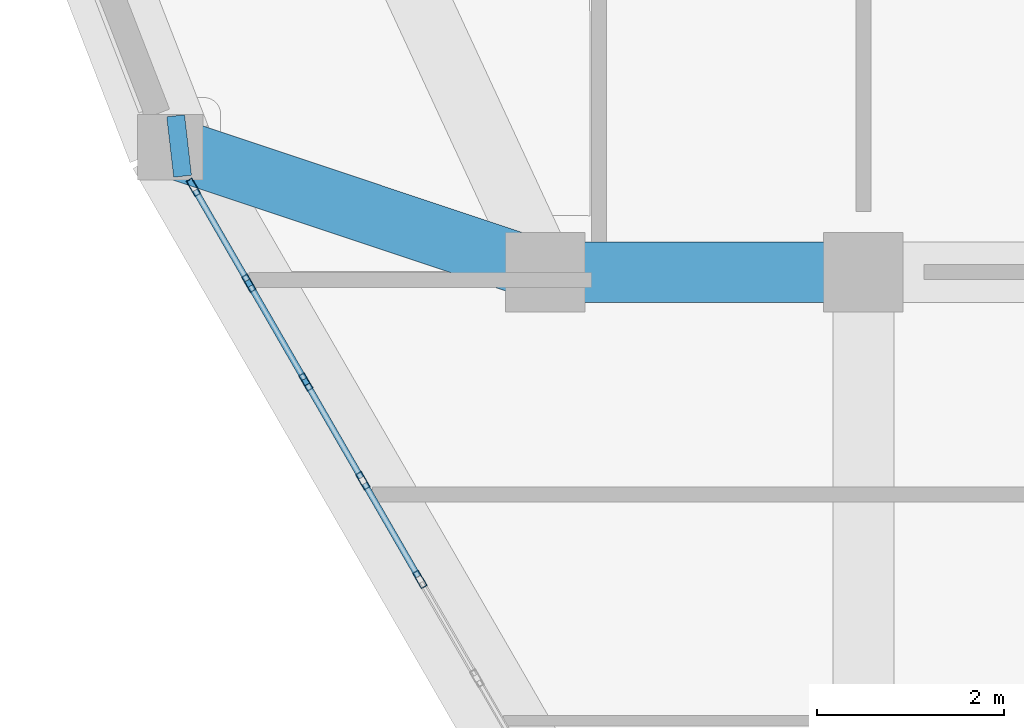
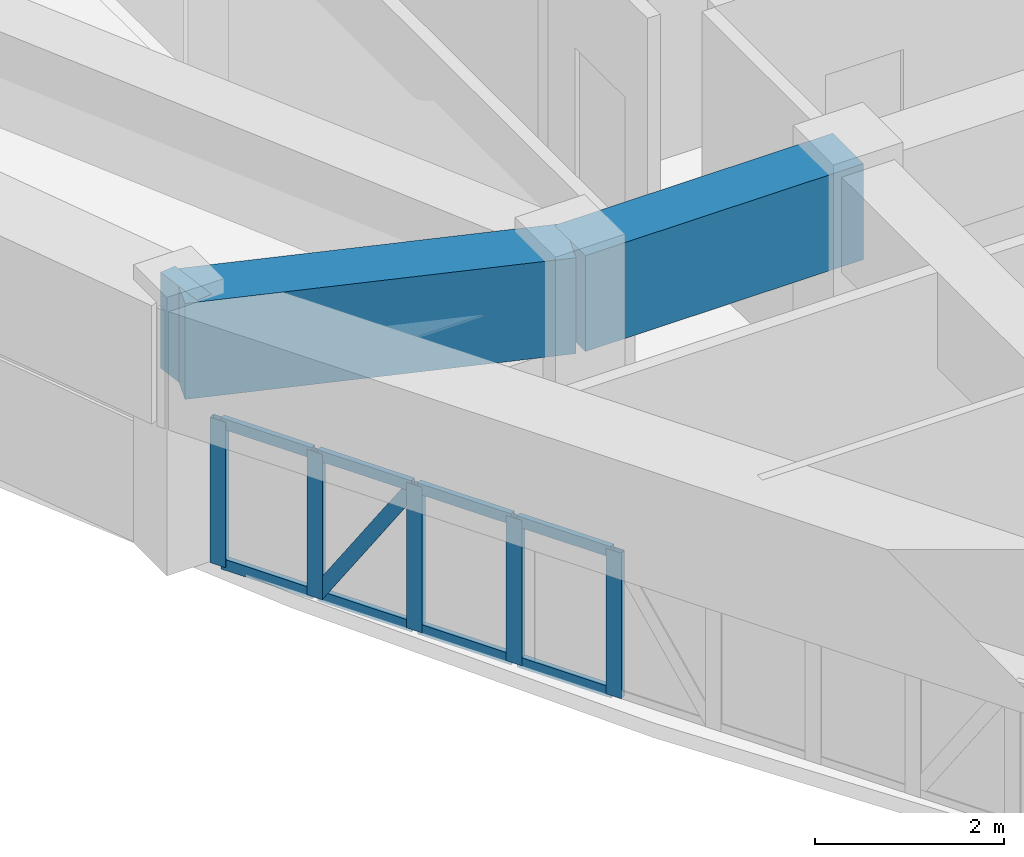
# One storey, part 5 of 16: 14 members, 3 beams, 1 element without a shape of its own.
"""IFC4 building model written with IfcOpenShell, lengths in metres."""

from ifc_helpers import new_model, si_unit, derived_unit, direction, frame, origin, origin_2d, place, context, subcontext, project, spatial, rectangle, hollow_rectangle, extrude, source, transform, mapped, material, layer, layer_set, material_profile, profile_set, type_object, element, aggregate, save


model = new_model("IFC4")

# Units and contexts
model_context = context("Model", 3, precision=1e-05, world=origin(), true_north=direction((0.0, 1.0)))
body_context = subcontext(model_context, "Body", "Model", "MODEL_VIEW")
ifc_project = project(units=[si_unit("LENGTHUNIT", "METRE"), si_unit("AREAUNIT", "SQUARE_METRE"), si_unit("VOLUMEUNIT", "CUBIC_METRE"), si_unit("PLANEANGLEUNIT", "RADIAN"), si_unit("MASSUNIT", "GRAM", prefix="KILO"), derived_unit("THERMALTRANSMITTANCEUNIT", [(si_unit("POWERUNIT", "WATT"), 1), (si_unit("LENGTHUNIT", "METRE"), -2), (si_unit("THERMODYNAMICTEMPERATUREUNIT", "KELVIN"), -1)])], contexts=[model_context])

# Site, building, storey
site_placement = place(None, origin())
site = spatial("IfcSite", under=ifc_project, at=site_placement, CompositionType="ELEMENT")
building_placement = place(site_placement, origin())
building = spatial("IfcBuilding", under=site, at=building_placement, Name="Korsvarv Bourse and Concert Hall", CompositionType="ELEMENT")
storey_placement = place(building_placement, frame((0.0, 0.0, 261.0)))
storey = spatial("IfcBuildingStorey", under=building, at=storey_placement, Name="L68", CompositionType="ELEMENT", Elevation=261.0)

# Beams
ifc_material_1 = material(Name="Concrete C50/60", Category="concrete")
ifc_material_profile_1 = material_profile(ifc_material_1, rectangle(XDim=0.64990234375, YDim=1.239990234375, at=origin_2d()), Name="RC-BM 650x1240")
ifc_profile_set_1 = profile_set([ifc_material_profile_1], Name="Concrete C50/60")
beam_type = type_object("IfcBeamType", Name="BM-TR-SPN", PredefinedType="BEAM", material=ifc_profile_set_1)
shared_shape_1 = source(origin(), body_context, "Body", "SweptSolid", [
    extrude(rectangle(XDim=0.64990234375, YDim=1.239990234375, at=origin_2d()), origin(), (0.0, 0.0, 1.0), 3.400146484375),
])
beam_1_placement = place(storey_placement, frame((24.199951171875, 32.39990234375, 2.7900390625), z_axis=(1.0, 0.0, 0.0), x_axis=(0.0, 1.0, 0.0)))
element("IfcBeam", 1, at=beam_1_placement, inside=storey, type_object=beam_type, Name="L68 beam B-TRS", PredefinedType="BEAM", context=body_context, shape_type="MappedRepresentation", body=[
    mapped(shared_shape_1, transform((0.0, 0.0, 0.0), scale=1.0)),
])
shared_shape_2 = source(origin(), body_context, "Body", "SweptSolid", [
    extrude(rectangle(XDim=0.64990234375, YDim=1.239990234375, at=origin_2d()), origin(), (0.0, 0.0, 1.0), 4.22705078125),
])
beam_2_placement = place(storey_placement, frame((20.190185546875, 33.73779296875, 2.7900390625), z_axis=(0.948590847329, -0.316504983157, 0.0), x_axis=(0.316504983157, 0.948590847329, 0.0)))
element("IfcBeam", 2, at=beam_2_placement, inside=storey, type_object=beam_type, Name="L68 beam B-TRS", PredefinedType="BEAM", context=body_context, shape_type="MappedRepresentation", body=[
    mapped(shared_shape_2, transform((0.0, 0.0, 0.0), scale=1.0)),
])
shared_shape_3 = source(origin(), body_context, "Body", "SweptSolid", [
    extrude(rectangle(XDim=0.64990234375, YDim=1.239990234375, at=origin_2d()), origin(), (0.0, 0.0, 1.0), 0.19189453125),
])
beam_3_placement = place(storey_placement, frame((20.190185546875, 33.73779296875, 2.7900390625), z_axis=(0.993425637614, 0.114479266819, 0.0), x_axis=(-0.114479266819, 0.993425637614, 0.0)))
element("IfcBeam", 3, at=beam_3_placement, inside=storey, type_object=beam_type, Name="L68 beam B-TRS", PredefinedType="BEAM", context=body_context, shape_type="MappedRepresentation", body=[
    mapped(shared_shape_3, transform((0.0, 0.0, 0.0), scale=1.0)),
])

# Curtain wall, members
ifc_material_2 = material(Name="Anodised aluminium and triple low-E glazing", Category="glass")
ifc_layer = layer(ifc_material_2, 0.199951171875)
ifc_layer_set = layer_set([ifc_layer], Name="Anodised aluminium and triple low-E glazing")
curtain_wall_type = type_object("IfcCurtainWallType", Name="CW-SYS-3", PredefinedType="NOTDEFINED", material=ifc_layer_set)
curtain_wall_placement = place(storey_placement, origin())
curtain_wall = element("IfcCurtainWall", 4, at=curtain_wall_placement, inside=storey, type_object=curtain_wall_type, Name="L68 CW3 curtain wall CW-L68-F07", PredefinedType="NOTDEFINED")
ifc_material_3 = material(Name="Extruded aluminium EN AW-6063 T66", Category="aluminium")
ifc_material_profile_2 = material_profile(ifc_material_3, hollow_rectangle(XDim=0.06494140625, YDim=0.139892578125, WallThickness=0.00390625, at=origin_2d()), Name="ALU-T 65x140")
ifc_profile_set_2 = profile_set([ifc_material_profile_2], Name="Extruded aluminium EN AW-6063 T66")
member_type_1 = type_object("IfcMemberType", Name="CWT-140", PredefinedType="USERDEFINED", material=ifc_profile_set_2)
shared_shape_4 = source(origin(), body_context, "Body", "SweptSolid", [
    extrude(hollow_rectangle(XDim=0.06494140625, YDim=0.139892578125, WallThickness=0.00390625, at=origin_2d()), origin(), (0.0, 0.0, 1.0), 1.113525390625),
])
member_1_placement = place(storey_placement, frame((20.456298828125, 33.277099609375, 0.032470703125), z_axis=(0.499912255713, -0.866076057046, 0.0), x_axis=(0.866076057046, 0.499912255713, 0.0)))
member_1 = element("IfcMember", 5, at=member_1_placement, type_object=member_type_1, Name="CW3 transom 1.1", ObjectType="TRANSOM", PredefinedType="USERDEFINED", context=body_context, shape_type="MappedRepresentation", body=[
    mapped(shared_shape_4, transform((0.0, 0.0, 0.0), scale=1.0)),
])
member_2_placement = place(storey_placement, frame((20.456298828125, 33.277099609375, 1.847412109375), z_axis=(0.499912255713, -0.866076057046, 0.0), x_axis=(0.866076057046, 0.499912255713, 0.0)))
member_2 = element("IfcMember", 6, at=member_2_placement, type_object=member_type_1, Name="CW3 transom 1.2", ObjectType="TRANSOM", PredefinedType="USERDEFINED", context=body_context, shape_type="MappedRepresentation", body=[
    mapped(shared_shape_4, transform((0.0, 0.0, 0.0), scale=1.0)),
])
shared_shape_5 = source(origin(), body_context, "Body", "SweptSolid", [
    extrude(hollow_rectangle(XDim=0.06494140625, YDim=0.139892578125, WallThickness=0.00390625, at=origin_2d()), origin(), (0.0, 0.0, 1.0), 1.148681640625),
])
member_3_placement = place(storey_placement, frame((21.048095703125, 32.252197265625, 0.032470703125), z_axis=(0.49988803956, -0.866090034526, 0.0), x_axis=(0.866090034526, 0.49988803956, 0.0)))
member_3 = element("IfcMember", 7, at=member_3_placement, type_object=member_type_1, Name="CW3 transom 2.1", ObjectType="TRANSOM", PredefinedType="USERDEFINED", context=body_context, shape_type="MappedRepresentation", body=[
    mapped(shared_shape_5, transform((0.0, 0.0, 0.0), scale=1.0)),
])
member_4_placement = place(storey_placement, frame((21.048095703125, 32.252197265625, 1.847412109375), z_axis=(0.49988803956, -0.866090034526, 0.0), x_axis=(0.866090034526, 0.49988803956, 0.0)))
member_4 = element("IfcMember", 8, at=member_4_placement, type_object=member_type_1, Name="CW3 transom 2.2", ObjectType="TRANSOM", PredefinedType="USERDEFINED", context=body_context, shape_type="MappedRepresentation", body=[
    mapped(shared_shape_5, transform((0.0, 0.0, 0.0), scale=1.0)),
])
member_5_placement = place(storey_placement, frame((22.2666015625, 30.141357421875, 0.032470703125), z_axis=(0.500139482584, -0.865944858499, 0.0), x_axis=(0.865944858499, 0.500139482584, 0.0)))
member_5 = element("IfcMember", 9, at=member_5_placement, type_object=member_type_1, Name="CW3 transom 4.1", ObjectType="TRANSOM", PredefinedType="USERDEFINED", context=body_context, shape_type="MappedRepresentation", body=[
    mapped(shared_shape_5, transform((0.0, 0.0, 0.0), scale=1.0)),
])
member_6_placement = place(storey_placement, frame((22.2666015625, 30.141357421875, 1.847412109375), z_axis=(0.500139482584, -0.865944858499, 0.0), x_axis=(0.865944858499, 0.500139482584, 0.0)))
member_6 = element("IfcMember", 10, at=member_6_placement, type_object=member_type_1, Name="CW3 transom 4.2", ObjectType="TRANSOM", PredefinedType="USERDEFINED", context=body_context, shape_type="MappedRepresentation", body=[
    mapped(shared_shape_5, transform((0.0, 0.0, 0.0), scale=1.0)),
])
ifc_material_profile_3 = material_profile(ifc_material_3, hollow_rectangle(XDim=0.070068359375, YDim=0.18994140625, WallThickness=0.0048828125, at=origin_2d()), Name="ALU-M 70x190")
ifc_profile_set_3 = profile_set([ifc_material_profile_3], Name="Extruded aluminium EN AW-6063 T66")
member_type_2 = type_object("IfcMemberType", Name="CWM-190", PredefinedType="MULLION", material=ifc_profile_set_3)
shared_shape_6 = source(origin(), body_context, "Body", "SweptSolid", [
    extrude(hollow_rectangle(XDim=0.070068359375, YDim=0.18994140625, WallThickness=0.0048828125, at=origin_2d()), origin(), (0.0, 0.0, 1.0), 1.8798828125),
])
member_7_placement = place(storey_placement, frame((20.438720703125, 33.307373046875, 0.0), z_axis=(0.0, 0.0, 1.0), x_axis=(0.866023274265, 0.500003688417, 0.0)))
member_7 = element("IfcMember", 11, at=member_7_placement, type_object=member_type_2, Name="CW3 mullion 1", PredefinedType="MULLION", context=body_context, shape_type="MappedRepresentation", body=[
    mapped(shared_shape_6, transform((0.0, 0.0, 0.0), scale=1.0)),
])
member_8_placement = place(storey_placement, frame((21.030517578125, 32.282470703125, 0.0), z_axis=(0.0, 0.0, 1.0), x_axis=(0.866023274265, 0.500003688417, 0.0)))
member_8 = element("IfcMember", 12, at=member_8_placement, type_object=member_type_2, Name="CW3 mullion 2", PredefinedType="MULLION", context=body_context, shape_type="MappedRepresentation", body=[
    mapped(shared_shape_6, transform((0.0, 0.0, 0.0), scale=1.0)),
])
member_9_placement = place(storey_placement, frame((21.639892578125, 31.22705078125, 0.0), z_axis=(0.0, 0.0, 1.0), x_axis=(0.866023274265, 0.500003688417, 0.0)))
member_9 = element("IfcMember", 13, at=member_9_placement, type_object=member_type_2, Name="CW3 mullion 3", PredefinedType="MULLION", context=body_context, shape_type="MappedRepresentation", body=[
    mapped(shared_shape_6, transform((0.0, 0.0, 0.0), scale=1.0)),
])
member_10_placement = place(storey_placement, frame((22.249267578125, 30.171630859375, 0.0), z_axis=(0.0, 0.0, 1.0), x_axis=(0.866023274265, 0.500003688417, 0.0)))
member_10 = element("IfcMember", 14, at=member_10_placement, type_object=member_type_2, Name="CW3 mullion 4", PredefinedType="MULLION", context=body_context, shape_type="MappedRepresentation", body=[
    mapped(shared_shape_6, transform((0.0, 0.0, 0.0), scale=1.0)),
])
member_11_placement = place(storey_placement, frame((22.8583984375, 29.116455078125, 0.0), z_axis=(0.0, 0.0, 1.0), x_axis=(0.866023274265, 0.500003688417, 0.0)))
member_11 = element("IfcMember", 15, at=member_11_placement, type_object=member_type_2, Name="CW3 mullion 5", PredefinedType="MULLION", context=body_context, shape_type="MappedRepresentation", body=[
    mapped(shared_shape_6, transform((0.0, 0.0, 0.0), scale=1.0)),
])
ifc_material_profile_4 = material_profile(ifc_material_3, hollow_rectangle(XDim=0.06494140625, YDim=0.1650390625, WallThickness=0.0048828125, at=origin_2d()), Name="ALU-M 65x165")
ifc_profile_set_4 = profile_set([ifc_material_profile_4], Name="Extruded aluminium EN AW-6063 T66")
member_type_3 = type_object("IfcMemberType", Name="CWM-165", PredefinedType="MULLION", material=ifc_profile_set_4)
shared_shape_7 = source(origin(), body_context, "Body", "SweptSolid", [
    extrude(hollow_rectangle(XDim=0.06494140625, YDim=0.1650390625, WallThickness=0.0048828125, at=origin_2d()), origin(), (0.0, 0.0, 1.0), 2.09326171875),
])
member_12_placement = place(storey_placement, frame((21.048095703125, 32.252197265625, 0.06494140625), z_axis=(0.274309725161, -0.475260259367, 0.835991543348), x_axis=(0.866090034526, 0.49988803956, 0.0)))
member_12 = element("IfcMember", 16, at=member_12_placement, type_object=member_type_3, Name="CW3 diagonal mullion 2", PredefinedType="MULLION", context=body_context, shape_type="MappedRepresentation", body=[
    mapped(shared_shape_7, transform((0.0, 0.0, 0.0), scale=1.0)),
])
shared_shape_8 = source(origin(), body_context, "Body", "SweptSolid", [
    extrude(hollow_rectangle(XDim=0.06494140625, YDim=0.139892578125, WallThickness=0.00390625, at=origin_2d()), origin(), (0.0, 0.0, 1.0), 1.14892578125),
])
member_13_placement = place(storey_placement, frame((21.6572265625, 31.19677734375, 0.032470703125), z_axis=(0.50004744102, -0.865998011966, 0.0), x_axis=(0.865998011966, 0.50004744102, 0.0)))
member_13 = element("IfcMember", 17, at=member_13_placement, type_object=member_type_1, Name="CW3 transom 3.1", ObjectType="TRANSOM", PredefinedType="USERDEFINED", context=body_context, shape_type="MappedRepresentation", body=[
    mapped(shared_shape_8, transform((0.0, 0.0, 0.0), scale=1.0)),
])
member_14_placement = place(storey_placement, frame((21.6572265625, 31.19677734375, 1.847412109375), z_axis=(0.50004744102, -0.865998011966, 0.0), x_axis=(0.865998011966, 0.50004744102, 0.0)))
member_14 = element("IfcMember", 18, at=member_14_placement, type_object=member_type_1, Name="CW3 transom 3.2", ObjectType="TRANSOM", PredefinedType="USERDEFINED", context=body_context, shape_type="MappedRepresentation", body=[
    mapped(shared_shape_8, transform((0.0, 0.0, 0.0), scale=1.0)),
])
aggregate(curtain_wall, [member_7, member_8, member_9, member_10, member_11, member_1, member_2, member_3, member_4, member_12, member_13, member_14, member_5, member_6])

save(model, "model.ifc")
